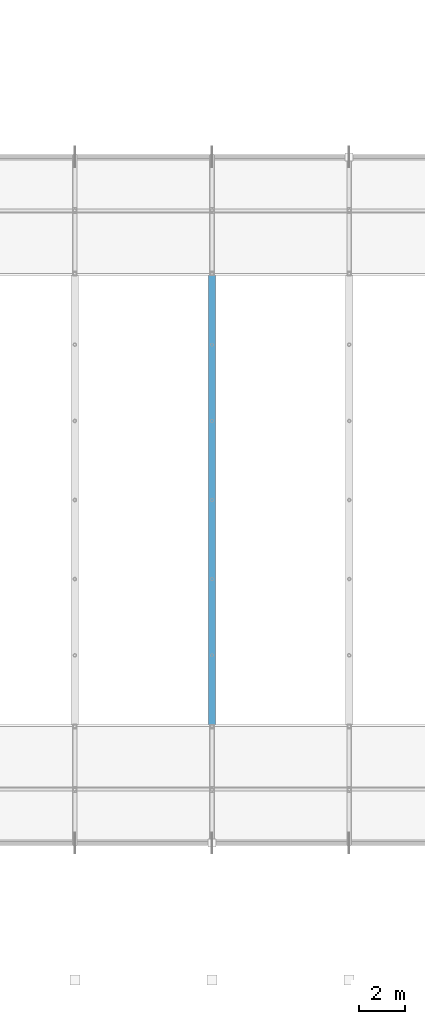
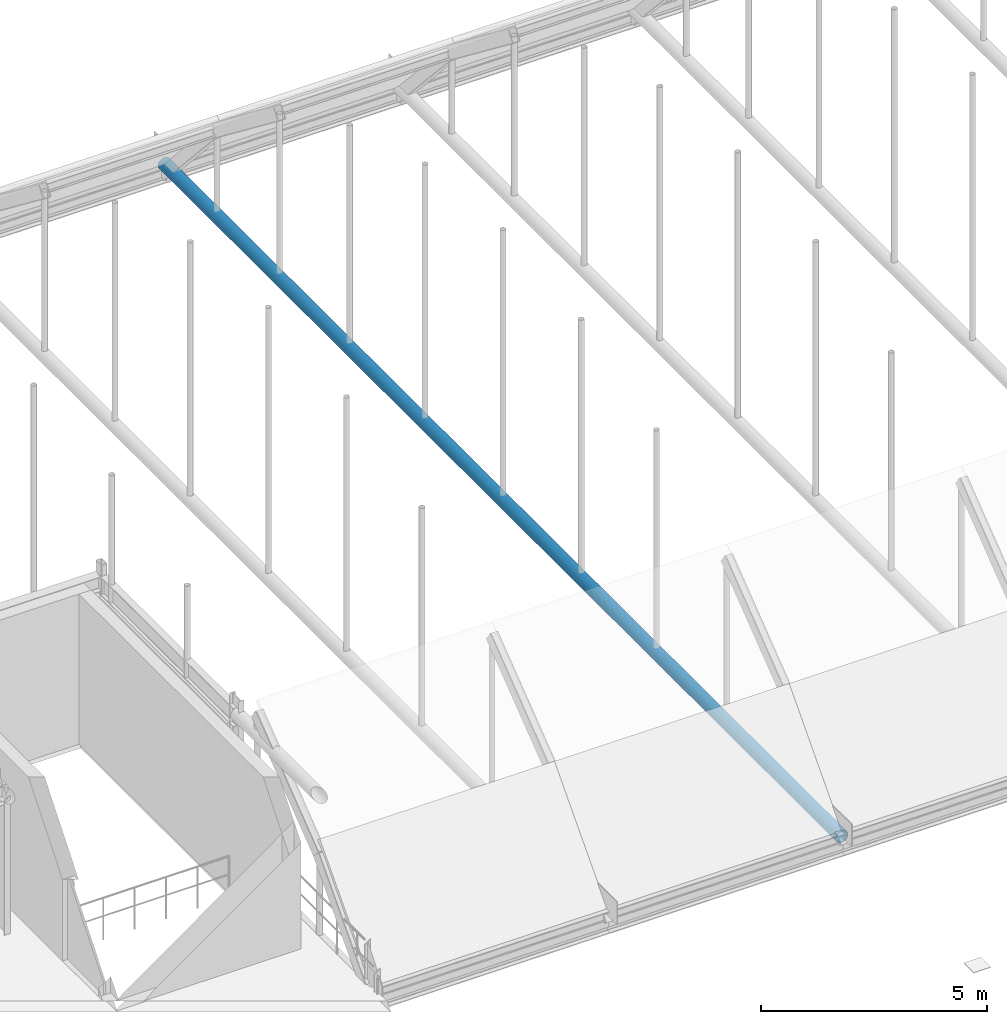
# One storey, part 34 of 116: 1 member.
"""IFC4 building model written with IfcOpenShell, lengths in metres."""

import ifcopenshell
import ifcopenshell.guid

model = None  # the IFC model being written
_history = None  # IfcOwnerHistory: only IFC2X3 demands one
_inside = {}  # id of a spatial element -> (the spatial element, [elements in it])
_under = {}  # id of a project, library or spatial element -> (it, [spatial elements below it])
_declared = {}  # id of a project -> (the project, [libraries it declares])
_typed = {}  # id of a type object -> (the type object, [elements of that type])
_made_of = {}  # id of a material, layer set ... -> (it, [elements and type objects made of it])


def new_model(schema):
    """Start an empty IFC model of exactly this schema.

    Asked for "IFC4X3", IfcOpenShell would pick the latest addendum, in which some entities
    have other attributes; the version numbers below select the first issue.
    IFC2X3 requires an IfcOwnerHistory on every rooted entity: one is made here for all.
    """
    global model, _history
    if schema == "IFC4X3":
        model = ifcopenshell.file(schema_version=(4, 3, 0, 0))
    else:
        model = ifcopenshell.file(schema=schema)
    _inside.clear()
    _under.clear()
    _declared.clear()
    _typed.clear()
    _made_of.clear()
    _history = None
    if model.schema == "IFC2X3":
        org = make("IfcOrganization", Name="unknown")
        user = make(
            "IfcPersonAndOrganization",
            ThePerson=make("IfcPerson", FamilyName="unknown"),
            TheOrganization=org,
        )
        app = make(
            "IfcApplication",
            ApplicationDeveloper=org,
            Version="unknown",
            ApplicationFullName="unknown",
            ApplicationIdentifier="unknown",
        )
        _history = make(
            "IfcOwnerHistory",
            OwningUser=user,
            OwningApplication=app,
            ChangeAction="ADDED",
            CreationDate=0,
        )
    return model


def make(cls, **values):
    """One entity of the class cls with the attributes given. An attribute that is None is left unset."""
    return model.create_entity(
        cls, **{name: value for name, value in values.items() if value is not None}
    )


def rooted(cls, **values):
    """An entity with a GlobalId (a new one), such as an element, a storey or a relation."""
    return make(cls, GlobalId=ifcopenshell.guid.new(), OwnerHistory=_history, **values)


def si_unit(unit_type, name, prefix=None):
    """IfcSIUnit, for example si_unit("LENGTHUNIT", "METRE", prefix="MILLI")."""
    return make("IfcSIUnit", UnitType=unit_type, Prefix=prefix, Name=name)


def assignment(units):
    """IfcUnitAssignment: the units of a project."""
    return None if units is None else make("IfcUnitAssignment", Units=units)


def point(xyz):
    """IfcCartesianPoint."""
    return None if xyz is None else make("IfcCartesianPoint", Coordinates=xyz)


def direction(xyz):
    """IfcDirection."""
    return None if xyz is None else make("IfcDirection", DirectionRatios=xyz)


def frame(location, z_axis=None, x_axis=None):
    """IfcAxis2Placement3D, a coordinate frame: its origin and axes. An axis left out is left unset."""
    return make(
        "IfcAxis2Placement3D",
        Location=point(location),
        Axis=direction(z_axis),
        RefDirection=direction(x_axis),
    )


def frame_2d(location, x_axis=None):
    """IfcAxis2Placement2D, a coordinate frame in the plane: its origin and x axis."""
    return make(
        "IfcAxis2Placement2D", Location=point(location), RefDirection=direction(x_axis)
    )


def origin():
    """The frame at (0, 0, 0) with its axes left unset."""
    return frame((0.0, 0.0, 0.0))


def origin_2d():
    """The frame at (0, 0) in the plane with its x axis left unset."""
    return frame_2d((0.0, 0.0))


def place(relative_to, where):
    """IfcLocalPlacement: puts the frame where relative to a parent placement (None: the world)."""
    return make(
        "IfcLocalPlacement", PlacementRelTo=relative_to, RelativePlacement=where
    )


def context(
    kind, dimensions, precision=None, world=None, true_north=None, identifier=None
):
    """IfcGeometricRepresentationContext, for example the 3D "Model" context."""
    return make(
        "IfcGeometricRepresentationContext",
        ContextIdentifier=identifier,
        ContextType=kind,
        CoordinateSpaceDimension=dimensions,
        Precision=precision,
        WorldCoordinateSystem=world,
        TrueNorth=true_north,
    )


def subcontext(parent, identifier, kind, view, scale=None):
    """IfcGeometricRepresentationSubContext, for example "Body" below "Model"."""
    return make(
        "IfcGeometricRepresentationSubContext",
        ContextIdentifier=identifier,
        ContextType=kind,
        ParentContext=parent,
        TargetScale=scale,
        TargetView=view,
    )


def project(units=None, contexts=None):
    """IfcProject with its units and contexts."""
    return rooted(
        "IfcProject",
        Name="project",
        RepresentationContexts=contexts,
        UnitsInContext=assignment(units),
    )


def spatial(cls, under=None, at=None, **own):
    """A site, building, storey or space (cls), placed at a placement, below another one or the project."""
    s = rooted(cls, ObjectPlacement=at, **own)
    if under is not None:
        _under.setdefault(under.id(), (under, []))[1].append(s)
    return s


def profile(cls, at=None, kind="AREA", **sizes):
    """A parametric profile (cls). Its sizes go by their IFC names, for example OverallWidth=200.0."""
    return make(cls, ProfileType=kind, Position=at, **sizes)


def hollow_circle(**sizes):
    """IfcCircleHollowProfileDef."""
    return profile("IfcCircleHollowProfileDef", **sizes)


def extrude(swept, where, along, depth):
    """IfcExtrudedAreaSolid: the profile swept, set in the frame where, extruded along a direction by depth."""
    return make(
        "IfcExtrudedAreaSolid",
        SweptArea=swept,
        Position=where,
        ExtrudedDirection=direction(along),
        Depth=depth,
    )


def shape(context_of_items, identifier, shape_type, items):
    """IfcShapeRepresentation: the items that make up one representation, for example the "Body"."""
    return make(
        "IfcShapeRepresentation",
        ContextOfItems=context_of_items,
        RepresentationIdentifier=identifier,
        RepresentationType=shape_type,
        Items=items,
    )


def material(Name=None, Category=None):
    """IfcMaterial."""
    return make("IfcMaterial", Name=Name, Category=Category)


def material_profile(
    of_material, cross_section, Name=None, Category=None, Priority=None
):
    """IfcMaterialProfile: a cross section and its material."""
    return make(
        "IfcMaterialProfile",
        Name=Name,
        Material=of_material,
        Profile=cross_section,
        Priority=Priority,
        Category=Category,
    )


def profile_set(profiles, Name=None, composite=None):
    """IfcMaterialProfileSet."""
    return make(
        "IfcMaterialProfileSet",
        Name=Name,
        MaterialProfiles=profiles,
        CompositeProfile=composite,
    )


def made_of(thing, what):
    """Note that an element or type object is made of a material, layer set ...; save() writes the relation."""
    if what is not None:
        _made_of.setdefault(what.id(), (what, []))[1].append(thing)
    return thing


def type_object(cls, material=None, **own):
    """A type object (cls), such as IfcWallType, which elements share."""
    return made_of(rooted(cls, **own), material)


def element(
    cls,
    number,
    at=None,
    inside=None,
    cuts=None,
    type_object=None,
    material=None,
    context=None,
    identifier="Body",
    shape_type=None,
    held_by="IfcProductDefinitionShape",
    body=None,
    shapes=None,
    **own,
):
    """One element of the class cls, such as IfcWall. Its Tag is "e" and its number.

    at: its placement. inside: the storey or other place that contains it. cuts: it is an
    opening in that element (IfcRelVoidsElement). A single representation is given by context,
    identifier, shape_type and body (its items); several are given by shapes. held_by: the class
    of the entity that holds the representations. save() writes the other relations.
    """
    e = rooted(cls, Tag="e%d" % number, ObjectPlacement=at, **own)
    if body is not None:
        shapes = [shape(context, identifier, shape_type, body)]
    if shapes is not None:
        e.Representation = make(held_by, Representations=shapes)
    if inside is not None:
        _inside.setdefault(inside.id(), (inside, []))[1].append(e)
    if cuts is not None:
        rooted(
            "IfcRelVoidsElement", RelatingBuildingElement=cuts, RelatedOpeningElement=e
        )
    if type_object is not None:
        _typed.setdefault(type_object.id(), (type_object, []))[1].append(e)
    return made_of(e, material)


def aggregate(whole, parts):
    """IfcRelAggregates: a whole, such as a stair, and the parts it consists of."""
    return rooted("IfcRelAggregates", RelatingObject=whole, RelatedObjects=parts)


def save(model, path):
    """Write the relations noted so far, then the file.

    IfcRelAggregates (storeys below a building ...), IfcRelContainedInSpatialStructure (elements
    in a storey), IfcRelDefinesByType, IfcRelAssociatesMaterial and IfcRelDeclares: one each for
    every whole, place, type object, material and project.
    """
    for whole, parts in _under.values():
        aggregate(whole, parts)
    for where, things in _inside.values():
        rooted(
            "IfcRelContainedInSpatialStructure",
            RelatedElements=things,
            RelatingStructure=where,
        )
    for kind, things in _typed.values():
        rooted("IfcRelDefinesByType", RelatedObjects=things, RelatingType=kind)
    for what, things in _made_of.values():
        rooted("IfcRelAssociatesMaterial", RelatedObjects=things, RelatingMaterial=what)
    for by, libraries in _declared.values():
        rooted("IfcRelDeclares", RelatingContext=by, RelatedDefinitions=libraries)
    model.write(path)


model = new_model("IFC4")

# Units and contexts
model_context = context("Model", 3, precision=1e-05, world=origin(), true_north=direction((0.0, 1.0)))
body_context = subcontext(model_context, "Body", "Model", "MODEL_VIEW")
ifc_project = project(units=[si_unit("LENGTHUNIT", "METRE"), si_unit("AREAUNIT", "SQUARE_METRE"), si_unit("VOLUMEUNIT", "CUBIC_METRE"), si_unit("PLANEANGLEUNIT", "RADIAN"), si_unit("MASSUNIT", "GRAM", prefix="KILO")], contexts=[model_context])

# Site, building, storey
site_placement = place(None, origin())
site = spatial("IfcSite", under=ifc_project, at=site_placement, CompositionType="ELEMENT")
building_placement = place(site_placement, origin())
building = spatial("IfcBuilding", under=site, at=building_placement, Name="Varnakota Square Police Headquarters", CompositionType="ELEMENT")
storey_placement = place(building_placement, frame((0.0, 0.0, 9.300048828125)))
storey = spatial("IfcBuildingStorey", under=building, at=storey_placement, Name="L02", CompositionType="ELEMENT", Elevation=9.300048828125)

# Member
ifc_material = material(Name="Steel IS 2062 Grade 350", Category="steel")
ifc_material_profile = material_profile(ifc_material, hollow_circle(Radius=0.161865234375, WallThickness=0.0126953125, at=origin_2d()), Name="CHS 323.9x12.7")
ifc_profile_set = profile_set([ifc_material_profile], Name="Steel IS 2062 Grade 350")
member_type = type_object("IfcMemberType", Name="MEM-TIE-CHS273", PredefinedType="CHORD", material=ifc_profile_set)
member_placement = place(storey_placement, frame((66.0, 9.0, -0.150146484375), z_axis=(0.0, 1.0, 0.0), x_axis=(-1.0, 0.0, 0.0)))
element("IfcMember", 1, at=member_placement, inside=storey, type_object=member_type, Name="Barrel vault tie rod V1-R03", PredefinedType="CHORD", context=body_context, shape_type="SweptSolid", body=[
    extrude(hollow_circle(Radius=0.161865234375, WallThickness=0.0126953125, at=origin_2d()), origin(), (0.0, 0.0, 1.0), 30.0),
])

save(model, "model.ifc")
